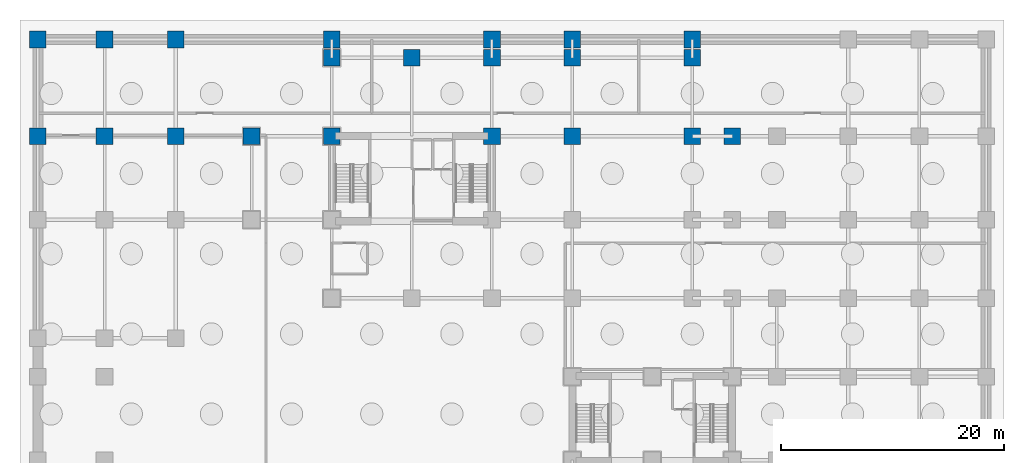
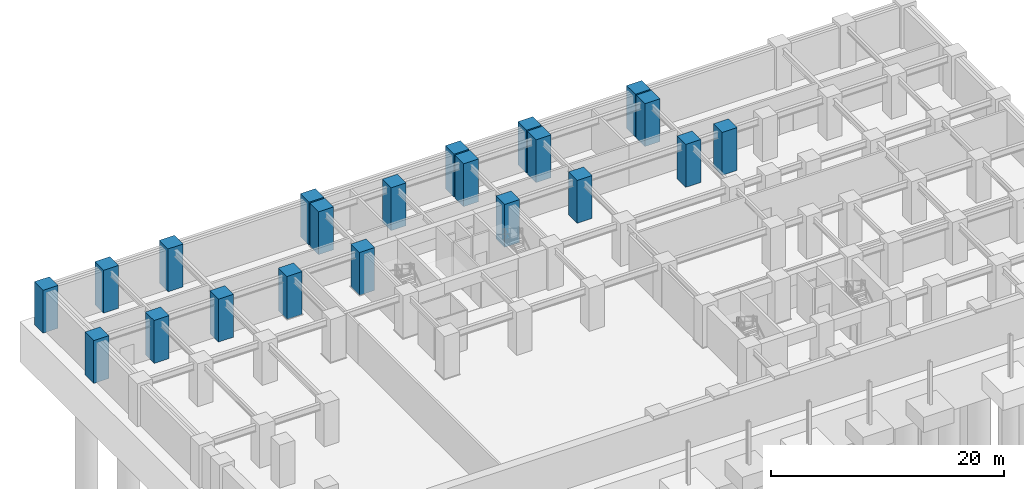
# One storey, part 3 of 11: 21 columns.
"""IFC4 building model written with IfcOpenShell, lengths in metres."""

from ifc_helpers import new_model, si_unit, direction, frame, origin, origin_2d, place, context, subcontext, project, spatial, rectangle, extrude, source, transform, mapped, material, material_profile, profile_set, type_object, element, save


model = new_model("IFC4")

# Units and contexts
model_context = context("Model", 3, precision=1e-05, world=origin(), true_north=direction((0.0, 1.0)))
body_context = subcontext(model_context, "Body", "Model", "MODEL_VIEW")
ifc_project = project(units=[si_unit("LENGTHUNIT", "METRE"), si_unit("AREAUNIT", "SQUARE_METRE"), si_unit("VOLUMEUNIT", "CUBIC_METRE"), si_unit("PLANEANGLEUNIT", "RADIAN"), si_unit("MASSUNIT", "GRAM", prefix="KILO")], contexts=[model_context])

# Site, building, storey
site_placement = place(None, origin())
site = spatial("IfcSite", under=ifc_project, at=site_placement, CompositionType="ELEMENT")
building_placement = place(site_placement, origin())
building = spatial("IfcBuilding", under=site, at=building_placement, Name="Kaliganga Portal Commons", CompositionType="ELEMENT")
storey_placement = place(building_placement, frame((0.0, 0.0, -9.0)))
storey = spatial("IfcBuildingStorey", under=building, at=storey_placement, Name="B2", CompositionType="ELEMENT", Elevation=-9.0)

# Columns
ifc_material = material(Name="Concrete C70/85", Category="concrete")
ifc_material_profile = material_profile(ifc_material, rectangle(XDim=1.5, YDim=1.5, at=origin_2d()), Name="RC 1500x1500")
ifc_profile_set = profile_set([ifc_material_profile], Name="Concrete C70/85")
column_type = type_object("IfcColumnType", Name="COL-MEGA-Z0", PredefinedType="COLUMN", material=ifc_profile_set)
shared_shape = source(origin(), body_context, "Body", "SweptSolid", [
    extrude(rectangle(XDim=1.5, YDim=1.5, at=origin_2d()), origin(), (0.0, 0.0, 1.0), 4.5),
])
for number, where, z_axis, x_axis, name in (
    (1, (7.199951171875, 36.14990234375, 0.0), (0.0, 0.0, 1.0), (1.0, 0.0, 0.0), "Column MC-01 B2"),
    (2, (14.39990234375, 36.14990234375, 0.0), (0.0, 0.0, 1.0), (1.0, 0.0, 0.0), "Column MC-01 B2"),
    (3, (14.39990234375, 43.199951171875, 0.0), (0.0, 0.0, 1.0), (1.0, 0.0, 0.0), "Column MC-01 B2"),
    (4, (21.60009765625, 43.199951171875, 0.0), (0.0, 0.0, 1.0), (1.0, 0.0, 0.0), "Column MC-01 B2"),
    (5, (28.800048828125, 36.14990234375, 0.0), (0.0, 0.0, 1.0), (1.0, 0.0, 0.0), "Column MC-01 B2"),
    (6, (28.800048828125, 43.199951171875, 0.0), (0.0, 0.0, 1.0), (1.0, 0.0, 0.0), "Column MC-01 B2"),
    (7, (36.0, 43.199951171875, 0.0), (0.0, 0.0, 1.0), (1.0, 0.0, 0.0), "Column MC-01 B2"),
    (8, (36.0, 36.14990234375, 0.0), (0.0, 0.0, 1.0), (1.0, 0.0, 0.0), "Column MC-01 B2"),
    (9, (46.800048828125, 36.14990234375, 0.0), (0.0, 0.0, 1.0), (1.0, 0.0, 0.0), "Column MC-01 B2"),
    (10, (46.800048828125, 43.199951171875, 0.0), (0.0, 0.0, 1.0), (1.0, 0.0, 0.0), "Column MC-01 B2"),
    (11, (50.39990234375, 36.14990234375, 0.0), (0.0, 0.0, 1.0), (1.0, 0.0, 0.0), "Column MC-01 B2"),
    (12, (0.39990234375, 36.14990234375, 0.0), (0.0, 0.0, 1.0), (1.0, 0.0, 0.0), "Column MC-01 B2"),
    (13, (0.39990234375, 44.85009765625, 0.0), (0.0, 0.0, 1.0), (1.0, 0.0, 0.0), "Column MC-01 B2"),
    (14, (14.39990234375, 44.85009765625, 0.0), (0.0, 0.0, 1.0), (1.0, 0.0, 0.0), "Column MC-01 B2"),
    (15, (28.800048828125, 44.85009765625, 0.0), (0.0, 0.0, 1.0), (1.0, 0.0, 0.0), "Column MC-01 B2"),
    (16, (36.0, 44.85009765625, 0.0), (0.0, 0.0, 1.0), (1.0, 0.0, 0.0), "Column MC-01 B2"),
    (17, (46.800048828125, 44.85009765625, 0.0), (0.0, 0.0, 1.0), (1.0, 0.0, 0.0), "Column MC-01 B2"),
    (18, (-12.0, 36.14990234375, 0.0), (0.0, 0.0, 1.0), (1.0, 0.0, 0.0), "Column MC-01 B2"),
    (19, (-12.0, 44.85009765625, 0.0), (0.0, 0.0, 1.0), (1.0, 0.0, 0.0), "Column MC-01 B2"),
    (20, (-6.0, 36.14990234375, 0.0), (0.0, 0.0, 1.0), (1.0, 0.0, 0.0), "Column MC-01 B2"),
    (21, (-6.0, 44.85009765625, 0.0), (0.0, 0.0, 1.0), (1.0, 0.0, 0.0), "Column MC-01 B2"),
):
    element("IfcColumn", number, at=place(storey_placement, frame(where, z_axis=z_axis, x_axis=x_axis)), inside=storey, type_object=column_type, Name=name, PredefinedType="COLUMN", context=body_context, shape_type="MappedRepresentation", body=[
        mapped(shared_shape, transform((0.0, 0.0, 0.0), x_axis=(1.0, 0.0, 0.0), y_axis=(0.0, 1.0, 0.0), z_axis=(0.0, 0.0, 1.0), scale=1.0)),
    ])

save(model, "model.ifc")
